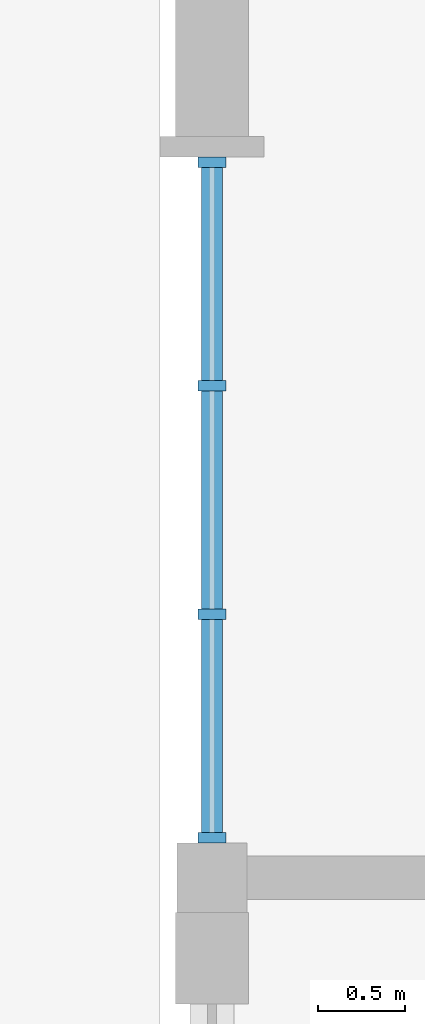
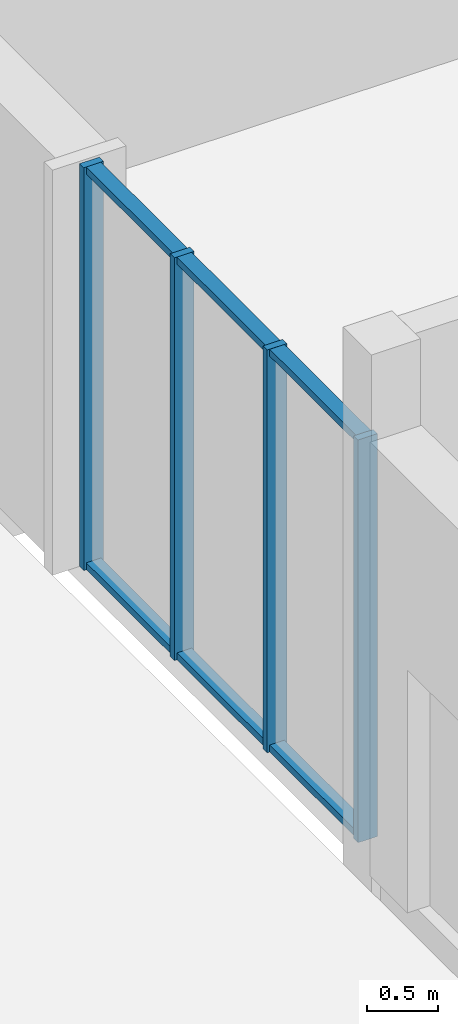
# One storey, part 12 of 36: 10 members, 1 element without a shape of its own.
"""IFC4 building model written with IfcOpenShell, lengths in metres."""

from ifc_helpers import new_model, si_unit, direction, frame, origin, origin_2d, place, context, subcontext, project, spatial, rectangle, extrude, material, material_profile, profile_set, type_object, element, aggregate, save


model = new_model("IFC4")

# Units and contexts
model_context = context("Model", 3, precision=1e-05, world=origin(), true_north=direction((0.0, 1.0)))
body_context = subcontext(model_context, "Body", "Model", "MODEL_VIEW")
ifc_project = project(units=[si_unit("LENGTHUNIT", "METRE"), si_unit("AREAUNIT", "SQUARE_METRE"), si_unit("VOLUMEUNIT", "CUBIC_METRE"), si_unit("PLANEANGLEUNIT", "RADIAN"), si_unit("MASSUNIT", "GRAM", prefix="KILO")], contexts=[model_context])

# Site, building, storey
site_placement = place(None, origin())
site = spatial("IfcSite", under=ifc_project, at=site_placement, CompositionType="ELEMENT")
building_placement = place(site_placement, origin())
building = spatial("IfcBuilding", under=site, at=building_placement, Name="Fescue Hill Polytechnic", CompositionType="ELEMENT")
storey_placement = place(building_placement, origin())
storey = spatial("IfcBuildingStorey", under=building, at=storey_placement, Name="L00", CompositionType="ELEMENT", Elevation=0.0)

# Curtain wall, members
ifc_material_1 = material(Name="Glass", Category="glass")
curtain_wall_type = type_object("IfcCurtainWallType", Name="Curtain wall structural glazing", PredefinedType="NOTDEFINED", material=ifc_material_1)
curtain_wall_placement = place(storey_placement, origin())
curtain_wall = element("IfcCurtainWall", 1, at=curtain_wall_placement, inside=storey, type_object=curtain_wall_type, Name="CW-L00-V3-X1", PredefinedType="NOTDEFINED")
ifc_material_2 = material(Name="Powder-coated aluminium", Category="aluminium")
ifc_material_profile_1 = material_profile(ifc_material_2, rectangle(XDim=0.159912109375, YDim=0.06005859375, at=origin_2d()), Name="Mullion aluminium 60x160")
ifc_profile_set_1 = profile_set([ifc_material_profile_1], Name="Powder-coated aluminium")
member_type_1 = type_object("IfcMemberType", Name="Mullion aluminium 60x160", PredefinedType="MULLION", material=ifc_profile_set_1)
member_1_placement = place(storey_placement, frame((126.0, 46.110107421875, 0.0), z_axis=(0.0, 0.0, 1.0), x_axis=(1.0, 0.0, 0.0)))
member_1 = element("IfcMember", 2, at=member_1_placement, type_object=member_type_1, Name="CW115 mullion 1", PredefinedType="MULLION", context=body_context, shape_type="SweptSolid", body=[
    extrude(rectangle(XDim=0.159912109375, YDim=0.06005859375, at=origin_2d()), origin(), (0.0, 0.0, 1.0), 3.47998046875),
])
member_2_placement = place(storey_placement, frame((126.0, 44.82666015625, 0.0), z_axis=(0.0, 0.0, 1.0), x_axis=(1.0, 0.0, 0.0)))
member_2 = element("IfcMember", 3, at=member_2_placement, type_object=member_type_1, Name="CW115 mullion 2", PredefinedType="MULLION", context=body_context, shape_type="SweptSolid", body=[
    extrude(rectangle(XDim=0.159912109375, YDim=0.06005859375, at=origin_2d()), origin(), (0.0, 0.0, 1.0), 3.47998046875),
])
member_3_placement = place(storey_placement, frame((126.0, 43.513427734375, 0.0), z_axis=(0.0, 0.0, 1.0), x_axis=(1.0, 0.0, 0.0)))
member_3 = element("IfcMember", 4, at=member_3_placement, type_object=member_type_1, Name="CW115 mullion 3", PredefinedType="MULLION", context=body_context, shape_type="SweptSolid", body=[
    extrude(rectangle(XDim=0.159912109375, YDim=0.06005859375, at=origin_2d()), origin(), (0.0, 0.0, 1.0), 3.47998046875),
])
member_4_placement = place(storey_placement, frame((126.0, 42.22998046875, 0.0), z_axis=(0.0, 0.0, 1.0), x_axis=(1.0, 0.0, 0.0)))
member_4 = element("IfcMember", 5, at=member_4_placement, type_object=member_type_1, Name="CW115 mullion 4", PredefinedType="MULLION", context=body_context, shape_type="SweptSolid", body=[
    extrude(rectangle(XDim=0.159912109375, YDim=0.06005859375, at=origin_2d()), origin(), (0.0, 0.0, 1.0), 3.47998046875),
])
ifc_material_profile_2 = material_profile(ifc_material_2, rectangle(XDim=0.1201171875, YDim=0.06005859375, at=origin_2d()), Name="Transom aluminium 60x120")
ifc_profile_set_2 = profile_set([ifc_material_profile_2], Name="Powder-coated aluminium")
member_type_2 = type_object("IfcMemberType", Name="Transom aluminium 60x120", PredefinedType="USERDEFINED", material=ifc_profile_set_2)
member_5_placement = place(storey_placement, frame((126.0, 46.080078125, 0.030029296875), z_axis=(0.0, -1.0, 0.0), x_axis=(1.0, 0.0, 0.0)))
member_5 = element("IfcMember", 6, at=member_5_placement, type_object=member_type_2, Name="CW115 transom 1.1", ObjectType="TRANSOM", PredefinedType="USERDEFINED", context=body_context, shape_type="SweptSolid", body=[
    extrude(rectangle(XDim=0.1201171875, YDim=0.06005859375, at=origin_2d()), origin(), (0.0, 0.0, 1.0), 1.223388671875),
])
member_6_placement = place(storey_placement, frame((126.0, 46.080078125, 3.449951171875), z_axis=(0.0, -1.0, 0.0), x_axis=(1.0, 0.0, 0.0)))
member_6 = element("IfcMember", 7, at=member_6_placement, type_object=member_type_2, Name="CW115 transom 1.2", ObjectType="TRANSOM", PredefinedType="USERDEFINED", context=body_context, shape_type="SweptSolid", body=[
    extrude(rectangle(XDim=0.1201171875, YDim=0.06005859375, at=origin_2d()), origin(), (0.0, 0.0, 1.0), 1.223388671875),
])
member_7_placement = place(storey_placement, frame((126.0, 44.796630859375, 0.030029296875), z_axis=(0.0, -1.0, 0.0), x_axis=(1.0, 0.0, 0.0)))
member_7 = element("IfcMember", 8, at=member_7_placement, type_object=member_type_2, Name="CW115 transom 2.1", ObjectType="TRANSOM", PredefinedType="USERDEFINED", context=body_context, shape_type="SweptSolid", body=[
    extrude(rectangle(XDim=0.1201171875, YDim=0.06005859375, at=origin_2d()), origin(), (0.0, 0.0, 1.0), 1.25341796875),
])
member_8_placement = place(storey_placement, frame((126.0, 44.796630859375, 3.449951171875), z_axis=(0.0, -1.0, 0.0), x_axis=(1.0, 0.0, 0.0)))
member_8 = element("IfcMember", 9, at=member_8_placement, type_object=member_type_2, Name="CW115 transom 2.2", ObjectType="TRANSOM", PredefinedType="USERDEFINED", context=body_context, shape_type="SweptSolid", body=[
    extrude(rectangle(XDim=0.1201171875, YDim=0.06005859375, at=origin_2d()), origin(), (0.0, 0.0, 1.0), 1.25341796875),
])
member_9_placement = place(storey_placement, frame((126.0, 43.4833984375, 0.030029296875), z_axis=(0.0, -1.0, 0.0), x_axis=(1.0, 0.0, 0.0)))
member_9 = element("IfcMember", 10, at=member_9_placement, type_object=member_type_2, Name="CW115 transom 3.1", ObjectType="TRANSOM", PredefinedType="USERDEFINED", context=body_context, shape_type="SweptSolid", body=[
    extrude(rectangle(XDim=0.1201171875, YDim=0.06005859375, at=origin_2d()), origin(), (0.0, 0.0, 1.0), 1.223388671875),
])
member_10_placement = place(storey_placement, frame((126.0, 43.4833984375, 3.449951171875), z_axis=(0.0, -1.0, 0.0), x_axis=(1.0, 0.0, 0.0)))
member_10 = element("IfcMember", 11, at=member_10_placement, type_object=member_type_2, Name="CW115 transom 3.2", ObjectType="TRANSOM", PredefinedType="USERDEFINED", context=body_context, shape_type="SweptSolid", body=[
    extrude(rectangle(XDim=0.1201171875, YDim=0.06005859375, at=origin_2d()), origin(), (0.0, 0.0, 1.0), 1.223388671875),
])
aggregate(curtain_wall, [member_1, member_2, member_3, member_4, member_5, member_6, member_7, member_8, member_9, member_10])

save(model, "model.ifc")
